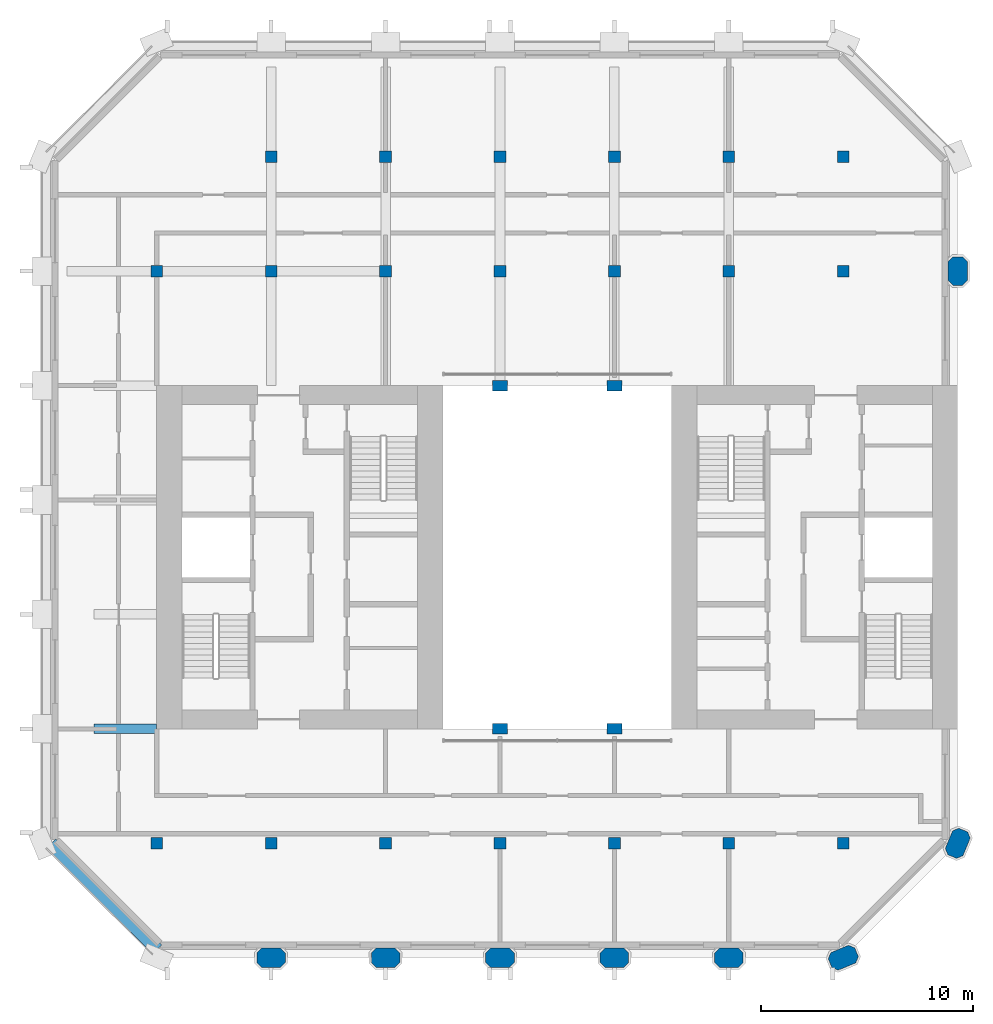
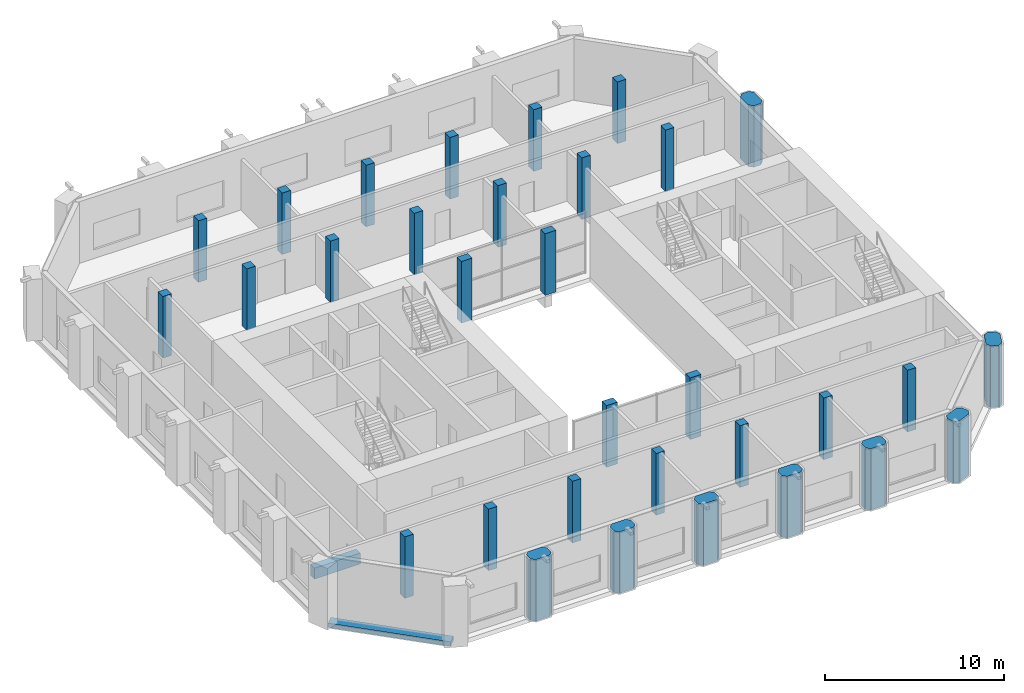
# One storey, part 1 of 12: 32 columns, 2 beams.
"""IFC4 building model written with IfcOpenShell, lengths in metres."""

import ifcopenshell
import ifcopenshell.guid

model = None  # the IFC model being written
_history = None  # IfcOwnerHistory: only IFC2X3 demands one
_inside = {}  # id of a spatial element -> (the spatial element, [elements in it])
_under = {}  # id of a project, library or spatial element -> (it, [spatial elements below it])
_declared = {}  # id of a project -> (the project, [libraries it declares])
_typed = {}  # id of a type object -> (the type object, [elements of that type])
_made_of = {}  # id of a material, layer set ... -> (it, [elements and type objects made of it])


def new_model(schema):
    """Start an empty IFC model of exactly this schema.

    Asked for "IFC4X3", IfcOpenShell would pick the latest addendum, in which some entities
    have other attributes; the version numbers below select the first issue.
    IFC2X3 requires an IfcOwnerHistory on every rooted entity: one is made here for all.
    """
    global model, _history
    if schema == "IFC4X3":
        model = ifcopenshell.file(schema_version=(4, 3, 0, 0))
    else:
        model = ifcopenshell.file(schema=schema)
    _inside.clear()
    _under.clear()
    _declared.clear()
    _typed.clear()
    _made_of.clear()
    _history = None
    if model.schema == "IFC2X3":
        org = make("IfcOrganization", Name="unknown")
        user = make(
            "IfcPersonAndOrganization",
            ThePerson=make("IfcPerson", FamilyName="unknown"),
            TheOrganization=org,
        )
        app = make(
            "IfcApplication",
            ApplicationDeveloper=org,
            Version="unknown",
            ApplicationFullName="unknown",
            ApplicationIdentifier="unknown",
        )
        _history = make(
            "IfcOwnerHistory",
            OwningUser=user,
            OwningApplication=app,
            ChangeAction="ADDED",
            CreationDate=0,
        )
    return model


def make(cls, **values):
    """One entity of the class cls with the attributes given. An attribute that is None is left unset."""
    return model.create_entity(
        cls, **{name: value for name, value in values.items() if value is not None}
    )


def rooted(cls, **values):
    """An entity with a GlobalId (a new one), such as an element, a storey or a relation."""
    return make(cls, GlobalId=ifcopenshell.guid.new(), OwnerHistory=_history, **values)


def si_unit(unit_type, name, prefix=None):
    """IfcSIUnit, for example si_unit("LENGTHUNIT", "METRE", prefix="MILLI")."""
    return make("IfcSIUnit", UnitType=unit_type, Prefix=prefix, Name=name)


def assignment(units):
    """IfcUnitAssignment: the units of a project."""
    return None if units is None else make("IfcUnitAssignment", Units=units)


def point(xyz):
    """IfcCartesianPoint."""
    return None if xyz is None else make("IfcCartesianPoint", Coordinates=xyz)


def direction(xyz):
    """IfcDirection."""
    return None if xyz is None else make("IfcDirection", DirectionRatios=xyz)


def frame(location, z_axis=None, x_axis=None):
    """IfcAxis2Placement3D, a coordinate frame: its origin and axes. An axis left out is left unset."""
    return make(
        "IfcAxis2Placement3D",
        Location=point(location),
        Axis=direction(z_axis),
        RefDirection=direction(x_axis),
    )


def frame_2d(location, x_axis=None):
    """IfcAxis2Placement2D, a coordinate frame in the plane: its origin and x axis."""
    return make(
        "IfcAxis2Placement2D", Location=point(location), RefDirection=direction(x_axis)
    )


def origin():
    """The frame at (0, 0, 0) with its axes left unset."""
    return frame((0.0, 0.0, 0.0))


def origin_2d():
    """The frame at (0, 0) in the plane with its x axis left unset."""
    return frame_2d((0.0, 0.0))


def place(relative_to, where):
    """IfcLocalPlacement: puts the frame where relative to a parent placement (None: the world)."""
    return make(
        "IfcLocalPlacement", PlacementRelTo=relative_to, RelativePlacement=where
    )


def context(
    kind, dimensions, precision=None, world=None, true_north=None, identifier=None
):
    """IfcGeometricRepresentationContext, for example the 3D "Model" context."""
    return make(
        "IfcGeometricRepresentationContext",
        ContextIdentifier=identifier,
        ContextType=kind,
        CoordinateSpaceDimension=dimensions,
        Precision=precision,
        WorldCoordinateSystem=world,
        TrueNorth=true_north,
    )


def subcontext(parent, identifier, kind, view, scale=None):
    """IfcGeometricRepresentationSubContext, for example "Body" below "Model"."""
    return make(
        "IfcGeometricRepresentationSubContext",
        ContextIdentifier=identifier,
        ContextType=kind,
        ParentContext=parent,
        TargetScale=scale,
        TargetView=view,
    )


def project(units=None, contexts=None):
    """IfcProject with its units and contexts."""
    return rooted(
        "IfcProject",
        Name="project",
        RepresentationContexts=contexts,
        UnitsInContext=assignment(units),
    )


def spatial(cls, under=None, at=None, **own):
    """A site, building, storey or space (cls), placed at a placement, below another one or the project."""
    s = rooted(cls, ObjectPlacement=at, **own)
    if under is not None:
        _under.setdefault(under.id(), (under, []))[1].append(s)
    return s


def polyline(points):
    """IfcPolyline through the points."""
    return make("IfcPolyline", Points=[point(p) for p in points])


def profile(cls, at=None, kind="AREA", **sizes):
    """A parametric profile (cls). Its sizes go by their IFC names, for example OverallWidth=200.0."""
    return make(cls, ProfileType=kind, Position=at, **sizes)


def rectangle(**sizes):
    """IfcRectangleProfileDef."""
    return profile("IfcRectangleProfileDef", **sizes)


def outline(outer, holes=None, kind="AREA"):
    """IfcArbitraryClosedProfileDef: a profile drawn as a closed curve; with holes, ...WithVoids."""
    if holes is None:
        return make("IfcArbitraryClosedProfileDef", ProfileType=kind, OuterCurve=outer)
    return make(
        "IfcArbitraryProfileDefWithVoids",
        ProfileType=kind,
        OuterCurve=outer,
        InnerCurves=holes,
    )


def extrude(swept, where, along, depth):
    """IfcExtrudedAreaSolid: the profile swept, set in the frame where, extruded along a direction by depth."""
    return make(
        "IfcExtrudedAreaSolid",
        SweptArea=swept,
        Position=where,
        ExtrudedDirection=direction(along),
        Depth=depth,
    )


def shape(context_of_items, identifier, shape_type, items):
    """IfcShapeRepresentation: the items that make up one representation, for example the "Body"."""
    return make(
        "IfcShapeRepresentation",
        ContextOfItems=context_of_items,
        RepresentationIdentifier=identifier,
        RepresentationType=shape_type,
        Items=items,
    )


def material(Name=None, Category=None):
    """IfcMaterial."""
    return make("IfcMaterial", Name=Name, Category=Category)


def material_profile(
    of_material, cross_section, Name=None, Category=None, Priority=None
):
    """IfcMaterialProfile: a cross section and its material."""
    return make(
        "IfcMaterialProfile",
        Name=Name,
        Material=of_material,
        Profile=cross_section,
        Priority=Priority,
        Category=Category,
    )


def profile_set(profiles, Name=None, composite=None):
    """IfcMaterialProfileSet."""
    return make(
        "IfcMaterialProfileSet",
        Name=Name,
        MaterialProfiles=profiles,
        CompositeProfile=composite,
    )


def made_of(thing, what):
    """Note that an element or type object is made of a material, layer set ...; save() writes the relation."""
    if what is not None:
        _made_of.setdefault(what.id(), (what, []))[1].append(thing)
    return thing


def type_object(cls, material=None, **own):
    """A type object (cls), such as IfcWallType, which elements share."""
    return made_of(rooted(cls, **own), material)


def element(
    cls,
    number,
    at=None,
    inside=None,
    cuts=None,
    type_object=None,
    material=None,
    context=None,
    identifier="Body",
    shape_type=None,
    held_by="IfcProductDefinitionShape",
    body=None,
    shapes=None,
    **own,
):
    """One element of the class cls, such as IfcWall. Its Tag is "e" and its number.

    at: its placement. inside: the storey or other place that contains it. cuts: it is an
    opening in that element (IfcRelVoidsElement). A single representation is given by context,
    identifier, shape_type and body (its items); several are given by shapes. held_by: the class
    of the entity that holds the representations. save() writes the other relations.
    """
    e = rooted(cls, Tag="e%d" % number, ObjectPlacement=at, **own)
    if body is not None:
        shapes = [shape(context, identifier, shape_type, body)]
    if shapes is not None:
        e.Representation = make(held_by, Representations=shapes)
    if inside is not None:
        _inside.setdefault(inside.id(), (inside, []))[1].append(e)
    if cuts is not None:
        rooted(
            "IfcRelVoidsElement", RelatingBuildingElement=cuts, RelatedOpeningElement=e
        )
    if type_object is not None:
        _typed.setdefault(type_object.id(), (type_object, []))[1].append(e)
    return made_of(e, material)


def aggregate(whole, parts):
    """IfcRelAggregates: a whole, such as a stair, and the parts it consists of."""
    return rooted("IfcRelAggregates", RelatingObject=whole, RelatedObjects=parts)


def save(model, path):
    """Write the relations noted so far, then the file.

    IfcRelAggregates (storeys below a building ...), IfcRelContainedInSpatialStructure (elements
    in a storey), IfcRelDefinesByType, IfcRelAssociatesMaterial and IfcRelDeclares: one each for
    every whole, place, type object, material and project.
    """
    for whole, parts in _under.values():
        aggregate(whole, parts)
    for where, things in _inside.values():
        rooted(
            "IfcRelContainedInSpatialStructure",
            RelatedElements=things,
            RelatingStructure=where,
        )
    for kind, things in _typed.values():
        rooted("IfcRelDefinesByType", RelatedObjects=things, RelatingType=kind)
    for what, things in _made_of.values():
        rooted("IfcRelAssociatesMaterial", RelatedObjects=things, RelatingMaterial=what)
    for by, libraries in _declared.values():
        rooted("IfcRelDeclares", RelatingContext=by, RelatedDefinitions=libraries)
    model.write(path)


model = new_model("IFC4")

# Units and contexts
model_context = context("Model", 3, precision=1e-05, world=origin(), true_north=direction((0.0, 1.0)))
body_context = subcontext(model_context, "Body", "Model", "MODEL_VIEW")
ifc_project = project(units=[si_unit("LENGTHUNIT", "METRE"), si_unit("AREAUNIT", "SQUARE_METRE"), si_unit("VOLUMEUNIT", "CUBIC_METRE"), si_unit("PLANEANGLEUNIT", "RADIAN"), si_unit("MASSUNIT", "GRAM", prefix="KILO")], contexts=[model_context])

# Site, building, storey
site_placement = place(None, origin())
site = spatial("IfcSite", under=ifc_project, at=site_placement, CompositionType="ELEMENT")
building_placement = place(site_placement, origin())
building = spatial("IfcBuilding", under=site, at=building_placement, Name="Tabaq Tower and Sports Hall", CompositionType="ELEMENT")
storey_placement = place(building_placement, frame((0.0, 0.0, 317.199951171875)))
storey = spatial("IfcBuildingStorey", under=building, at=storey_placement, Name="L79", CompositionType="ELEMENT", Elevation=317.199951171875)

# Columns
ifc_material_1 = material(Name="Concrete C40/50", Category="concrete")
ifc_material_profile_1 = material_profile(ifc_material_1, rectangle(XDim=0.699951171875, YDim=0.5, at=origin_2d()), Name="ATRIUM COLUMN 700x500")
ifc_profile_set_1 = profile_set([ifc_material_profile_1], Name="Concrete C40/50")
column_type_1 = type_object("IfcColumnType", Name="RC COLUMN ATRIUM COLUMN 700x500 C40/50", PredefinedType="COLUMN", material=ifc_profile_set_1)
for number, where, z_axis, x_axis, name in (
    (1, (21.60009765625, 16.199951171875, 0.0), (0.0, 0.0, 1.0), (1.0, 0.0, 0.0), "Atrium Column 5/D L79"),
    (2, (27.0, 16.199951171875, 0.0), (0.0, 0.0, 1.0), (1.0, 0.0, 0.0), "Atrium Column 6/D L79"),
    (3, (21.60009765625, 32.39990234375, 0.0), (0.0, 0.0, 1.0), (1.0, 0.0, 0.0), "Atrium Column 5/G L79"),
    (4, (27.0, 32.39990234375, 0.0), (0.0, 0.0, 1.0), (1.0, 0.0, 0.0), "Atrium Column 6/G L79"),
):
    element("IfcColumn", number, at=place(storey_placement, frame(where, z_axis=z_axis, x_axis=x_axis)), inside=storey, type_object=column_type_1, Name=name, PredefinedType="COLUMN", context=body_context, shape_type="SweptSolid", body=[
        extrude(rectangle(XDim=0.699951171875, YDim=0.5, at=origin_2d()), origin(), (0.0, 0.0, 1.0), 4.199951171875),
    ])
ifc_material_2 = material(Name="Concrete C40/50", Category="concrete")
ifc_material_profile_2 = material_profile(ifc_material_2, rectangle(XDim=0.550048828125, YDim=0.550048828125, at=origin_2d()), Name="COLUMN 550x550")
ifc_profile_set_2 = profile_set([ifc_material_profile_2], Name="Concrete C40/50")
column_type_2 = type_object("IfcColumnType", Name="RC COLUMN COLUMN 550x550 C40/50", PredefinedType="COLUMN", material=ifc_profile_set_2)
for number, where, z_axis, x_axis, name in (
    (5, (5.39990234375, 10.800048828125, 0.0), (0.0, 0.0, 1.0), (1.0, 0.0, 0.0), "Column 2/C L79"),
    (6, (10.800048828125, 10.800048828125, 0.0), (0.0, 0.0, 1.0), (1.0, 0.0, 0.0), "Column 3/C L79"),
    (7, (16.199951171875, 10.800048828125, 0.0), (0.0, 0.0, 1.0), (1.0, 0.0, 0.0), "Column 4/C L79"),
    (8, (21.60009765625, 10.800048828125, 0.0), (0.0, 0.0, 1.0), (1.0, 0.0, 0.0), "Column 5/C L79"),
    (9, (27.0, 10.800048828125, 0.0), (0.0, 0.0, 1.0), (1.0, 0.0, 0.0), "Column 6/C L79"),
    (10, (32.39990234375, 10.800048828125, 0.0), (0.0, 0.0, 1.0), (1.0, 0.0, 0.0), "Column 7/C L79"),
    (11, (37.800048828125, 10.800048828125, 0.0), (0.0, 0.0, 1.0), (1.0, 0.0, 0.0), "Column 8/C L79"),
    (12, (5.39990234375, 37.800048828125, 0.0), (0.0, 0.0, 1.0), (1.0, 0.0, 0.0), "Column 2/H L79"),
    (13, (10.800048828125, 37.800048828125, 0.0), (0.0, 0.0, 1.0), (1.0, 0.0, 0.0), "Column 3/H L79"),
    (14, (16.199951171875, 37.800048828125, 0.0), (0.0, 0.0, 1.0), (1.0, 0.0, 0.0), "Column 4/H L79"),
    (15, (21.60009765625, 37.800048828125, 0.0), (0.0, 0.0, 1.0), (1.0, 0.0, 0.0), "Column 5/H L79"),
    (16, (27.0, 37.800048828125, 0.0), (0.0, 0.0, 1.0), (1.0, 0.0, 0.0), "Column 6/H L79"),
    (17, (32.39990234375, 37.800048828125, 0.0), (0.0, 0.0, 1.0), (1.0, 0.0, 0.0), "Column 7/H L79"),
    (18, (37.800048828125, 37.800048828125, 0.0), (0.0, 0.0, 1.0), (1.0, 0.0, 0.0), "Column 8/H L79"),
    (19, (10.800048828125, 43.199951171875, 0.0), (0.0, 0.0, 1.0), (1.0, 0.0, 0.0), "Column 3/I L79"),
    (20, (16.199951171875, 43.199951171875, 0.0), (0.0, 0.0, 1.0), (1.0, 0.0, 0.0), "Column 4/I L79"),
    (21, (21.60009765625, 43.199951171875, 0.0), (0.0, 0.0, 1.0), (1.0, 0.0, 0.0), "Column 5/I L79"),
    (22, (27.0, 43.199951171875, 0.0), (0.0, 0.0, 1.0), (1.0, 0.0, 0.0), "Column 6/I L79"),
    (23, (32.39990234375, 43.199951171875, 0.0), (0.0, 0.0, 1.0), (1.0, 0.0, 0.0), "Column 7/I L79"),
    (24, (37.800048828125, 43.199951171875, 0.0), (0.0, 0.0, 1.0), (1.0, 0.0, 0.0), "Column 8/I L79"),
):
    element("IfcColumn", number, at=place(storey_placement, frame(where, z_axis=z_axis, x_axis=x_axis)), inside=storey, type_object=column_type_2, Name=name, PredefinedType="COLUMN", context=body_context, shape_type="SweptSolid", body=[
        extrude(rectangle(XDim=0.550048828125, YDim=0.550048828125, at=origin_2d()), origin(), (0.0, 0.0, 1.0), 4.199951171875),
    ])
ifc_material_3 = material(Name="Concrete C40/50", Category="concrete")
ifc_material_profile_3 = material_profile(ifc_material_3, outline(polyline([(-0.449951171875, -0.449951171875), (0.449951171875, -0.449951171875), (0.675048828125, -0.22509765625), (0.675048828125, 0.22509765625), (0.449951171875, 0.449951171875), (-0.449951171875, 0.449951171875), (-0.675048828125, 0.22509765625), (-0.675048828125, -0.22509765625), (-0.449951171875, -0.449951171875)])), Name="PIER 1350x900")
ifc_profile_set_3 = profile_set([ifc_material_profile_3], Name="Concrete C40/50")
column_type_3 = type_object("IfcColumnType", Name="RC COLUMN PIER 1350x900 C40/50", PredefinedType="COLUMN", material=ifc_profile_set_3)
for number, where, z_axis, x_axis, name in (
    (25, (10.800048828125, 5.39990234375, 0.0), (0.0, 0.0, 1.0), (1.0, 0.0, 0.0), "Pier 3/B L79"),
    (26, (16.199951171875, 5.39990234375, 0.0), (0.0, 0.0, 1.0), (1.0, 0.0, 0.0), "Pier 4/B L79"),
    (27, (21.60009765625, 5.39990234375, 0.0), (0.0, 0.0, 1.0), (1.0, 0.0, 0.0), "Pier 5/B L79"),
    (28, (27.0, 5.39990234375, 0.0), (0.0, 0.0, 1.0), (1.0, 0.0, 0.0), "Pier 6/B L79"),
    (29, (32.39990234375, 5.39990234375, 0.0), (0.0, 0.0, 1.0), (1.0, 0.0, 0.0), "Pier 7/B L79"),
    (30, (37.800048828125, 5.39990234375, 0.0), (0.0, 0.0, 1.0), (0.923879532511, 0.382683432365, 0.0), "Pier 8/B L79"),
    (31, (43.199951171875, 10.800048828125, 0.0), (0.0, 0.0, 1.0), (0.382683432365, 0.923879532511, 0.0), "Pier 9/C L79"),
    (32, (43.199951171875, 37.800048828125, 0.0), (0.0, 0.0, 1.0), (0.0, 1.0, 0.0), "Pier 9/H L79"),
):
    element("IfcColumn", number, at=place(storey_placement, frame(where, z_axis=z_axis, x_axis=x_axis)), inside=storey, type_object=column_type_3, Name=name, PredefinedType="COLUMN", context=body_context, shape_type="SweptSolid", body=[
        extrude(outline(polyline([(-0.449951171875, -0.449951171875), (0.449951171875, -0.449951171875), (0.675048828125, -0.22509765625), (0.675048828125, 0.22509765625), (0.449951171875, 0.449951171875), (-0.449951171875, 0.449951171875), (-0.675048828125, 0.22509765625), (-0.675048828125, -0.22509765625), (-0.449951171875, -0.449951171875)])), origin(), (0.0, 0.0, 1.0), 4.199951171875),
    ])

# Beams
ifc_material_4 = material(Name="Concrete C40/50", Category="concrete")
ifc_material_profile_4 = material_profile(ifc_material_4, rectangle(XDim=0.449951171875, YDim=0.75, at=origin_2d()), Name="CB 450x750")
ifc_profile_set_4 = profile_set([ifc_material_profile_4], Name="Concrete C40/50")
beam_type_1 = type_object("IfcBeamType", Name="PT CANTILEVER BEAM CB 450x750 C40/50", PredefinedType="BEAM", material=ifc_profile_set_4)
beam_1_placement = place(storey_placement, frame((2.449951171875, 16.199951171875, -0.675048828125), z_axis=(1.0, 0.0, 0.0), x_axis=(0.0, 1.0, 0.0)))
element("IfcBeam", 33, at=beam_1_placement, inside=storey, type_object=beam_type_1, Name="Cantilever Beam L79 W3 span 1", PredefinedType="BEAM", context=body_context, shape_type="SweptSolid", body=[
    extrude(rectangle(XDim=0.449951171875, YDim=0.75, at=origin_2d()), origin(), (0.0, 0.0, 1.0), 2.949951171875),
])
ifc_material_5 = material(Name="Concrete C40/50", Category="concrete")
ifc_material_profile_5 = material_profile(ifc_material_5, rectangle(XDim=0.60009765625, YDim=0.300048828125, at=origin_2d()), Name="EB 600x300")
ifc_profile_set_5 = profile_set([ifc_material_profile_5], Name="Concrete C40/50")
beam_type_2 = type_object("IfcBeamType", Name="PT EDGE BEAM EB 600x300 C40/50", PredefinedType="SPANDREL", material=ifc_profile_set_5)
beam_2_placement = place(storey_placement, frame((0.42333984375, 10.801025390625, -0.14990234375), z_axis=(0.707089559252, -0.707124002701, 0.0), x_axis=(0.707124002701, 0.707089559252, 0.0)))
element("IfcBeam", 34, at=beam_2_placement, inside=storey, type_object=beam_type_2, Name="Edge Beam L79 5", PredefinedType="SPANDREL", context=body_context, shape_type="SweptSolid", body=[
    extrude(rectangle(XDim=0.60009765625, YDim=0.300048828125, at=origin_2d()), origin(), (0.0, 0.0, 1.0), 7.088134765625),
])

save(model, "model.ifc")
